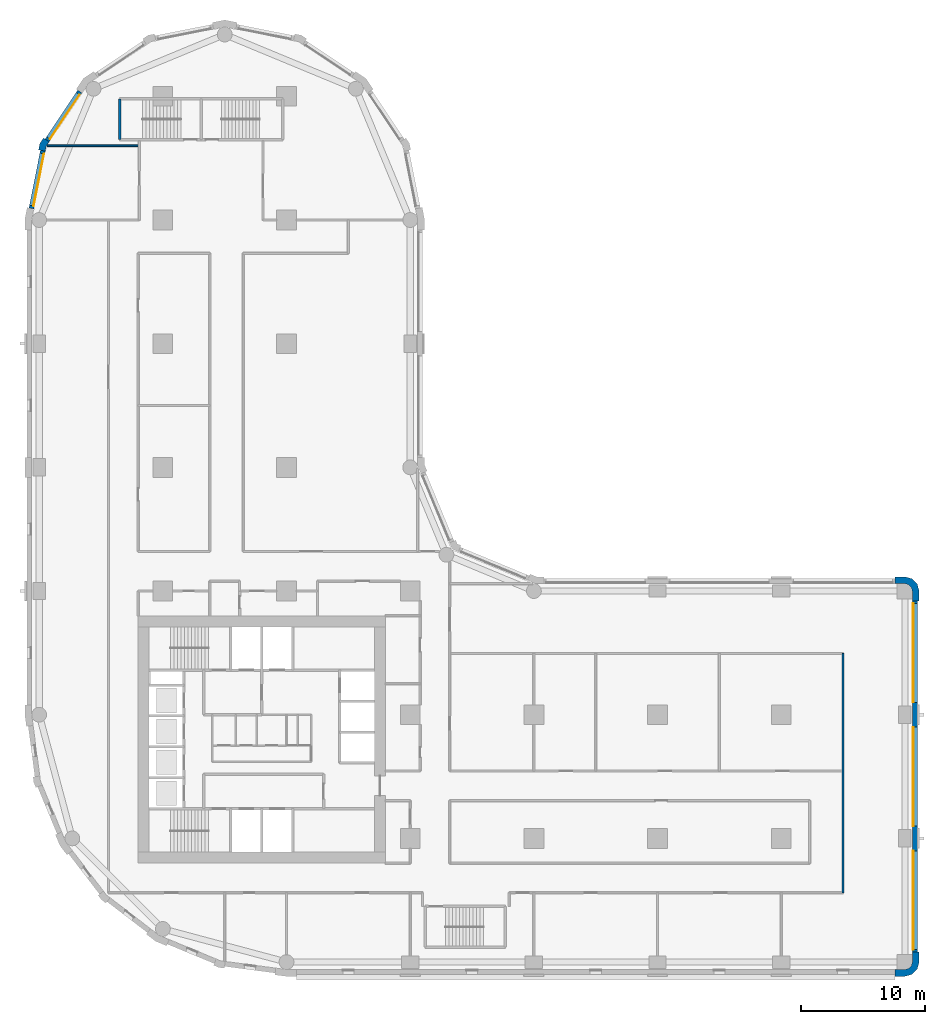
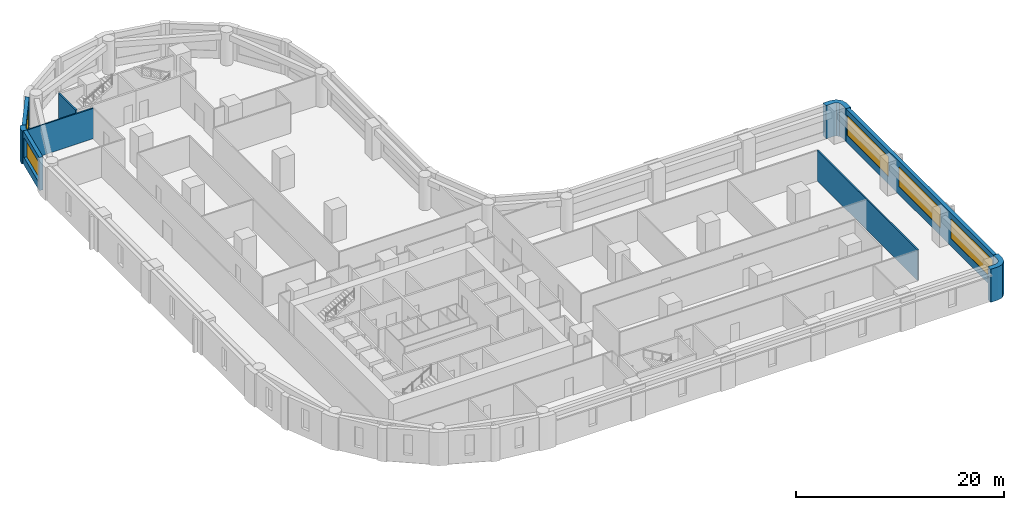
# One storey, part 7 of 11: 9 walls, 5 windows, 5 openings.
"""IFC4 building model written with IfcOpenShell, lengths in metres."""

from ifc_helpers import new_model, si_unit, direction, frame, frame_2d, origin, place, context, subcontext, project, spatial, polyline, rectangle, outline, extrude, material, layer, layer_set, type_object, element, fill, save


model = new_model("IFC4")

# Units and contexts
model_context = context("Model", 3, precision=1e-05, world=origin(), true_north=direction((0.0, 1.0)))
body_context = subcontext(model_context, "Body", "Model", "MODEL_VIEW")
ifc_project = project(units=[si_unit("LENGTHUNIT", "METRE"), si_unit("AREAUNIT", "SQUARE_METRE"), si_unit("VOLUMEUNIT", "CUBIC_METRE"), si_unit("PLANEANGLEUNIT", "RADIAN"), si_unit("MASSUNIT", "GRAM", prefix="KILO")], contexts=[model_context])

# Site, building, storey
site_placement = place(None, origin())
site = spatial("IfcSite", under=ifc_project, at=site_placement, CompositionType="ELEMENT")
building_placement = place(site_placement, origin())
building = spatial("IfcBuilding", under=site, at=building_placement, Name="Qaws Garden Tower", CompositionType="ELEMENT")
storey_placement = place(building_placement, frame((0.0, 0.0, 86.10009765625)))
storey = spatial("IfcBuildingStorey", under=building, at=storey_placement, Name="L21", CompositionType="ELEMENT", Elevation=86.10009765625)

# Walls
ifc_material_1 = material(Name="Clay facing brick masonry", Category="masonry")
ifc_layer_1 = layer(ifc_material_1, 0.550048828125)
ifc_layer_set_1 = layer_set([ifc_layer_1], Name="Clay facing brick masonry")
wall_type_1 = type_object("IfcWallType", Name="Brick corner pier 550 x 2400", PredefinedType="SOLIDWALL", material=ifc_layer_set_1)
placement = place(storey_placement, origin())
element("IfcWall", 1, at=placement, inside=storey, type_object=wall_type_1, Name="E-L21-pier-05", PredefinedType="SOLIDWALL", context=body_context, shape_type="SweptSolid", body=[
    extrude(outline(polyline([(69.199951171875, -1.0), (69.199951171875, -1.14990234375), (70.0, -1.14990234375), (70.574951171875, -0.995849609375), (70.995849609375, -0.574951171875), (71.14990234375, 0.0), (71.14990234375, 0.800048828125), (71.0, 0.800048828125), (70.60009765625, 0.800048828125), (70.60009765625, 0.0), (70.51953125, -0.300048828125), (70.300048828125, -0.51953125), (70.0, -0.60009765625), (69.199951171875, -0.60009765625), (69.199951171875, -1.0)])), origin(), (0.0, 0.0, 1.0), 3.89990234375),
])
element("IfcWall", 2, at=placement, inside=storey, type_object=wall_type_1, Name="E-L21-pier-08", PredefinedType="SOLIDWALL", context=body_context, shape_type="SweptSolid", body=[
    extrude(outline(polyline([(71.0, 29.199951171875), (71.14990234375, 29.199951171875), (71.14990234375, 30.0), (70.995849609375, 30.574951171875), (70.574951171875, 30.995849609375), (70.0, 31.14990234375), (69.199951171875, 31.14990234375), (69.199951171875, 31.0), (69.199951171875, 30.60009765625), (70.0, 30.60009765625), (70.300048828125, 30.51953125), (70.51953125, 30.300048828125), (70.60009765625, 30.0), (70.60009765625, 29.199951171875), (71.0, 29.199951171875)])), origin(), (0.0, 0.0, 1.0), 3.89990234375),
])

# Wall, openings, windows
ifc_material_2 = material(Name="Clay facing brick masonry", Category="masonry")
ifc_layer_2 = layer(ifc_material_2, 0.39990234375)
ifc_layer_set_2 = layer_set([ifc_layer_2], Name="Clay facing brick masonry")
wall_type_2 = type_object("IfcWallType", Name="Brick infill wall 400", PredefinedType="SOLIDWALL", material=ifc_layer_set_2)
wall_3_placement = place(storey_placement, frame((70.800048828125, 0.800048828125, 0.0), z_axis=(0.0, 0.0, 1.0), x_axis=(0.0, 1.0, 0.0)))
wall_3 = element("IfcWall", 3, at=wall_3_placement, inside=storey, type_object=wall_type_2, Name="E-L21-infill-05", PredefinedType="SOLIDWALL", context=body_context, shape_type="SweptSolid", body=[
    extrude(rectangle(XDim=28.39990234375, YDim=0.39990234375, at=frame_2d((14.199951171875, 0.0))), origin(), (0.0, 0.0, 1.0), 3.89990234375),
])
opening_1_placement = place(wall_3_placement, frame((0.199951171875, 0.0, 0.89990234375)))
opening_1 = element("IfcOpeningElement", 4, at=opening_1_placement, cuts=wall_3, Name="Opening W01", PredefinedType="OPENING", context=body_context, shape_type="SweptSolid", body=[
    extrude(rectangle(XDim=8.0, YDim=2.35009765625, at=frame_2d((4.0, 1.175048828125))), frame((0.0, 0.2099609375, 0.0), z_axis=(0.0, -1.0, 0.0), x_axis=(1.0, 0.0, 0.0)), (0.0, 0.0, 1.0), 0.419921875),
])
opening_2_placement = place(wall_3_placement, frame((10.199951171875, 0.0, 0.89990234375)))
opening_2 = element("IfcOpeningElement", 5, at=opening_2_placement, cuts=wall_3, Name="Opening W01", PredefinedType="OPENING", context=body_context, shape_type="SweptSolid", body=[
    extrude(rectangle(XDim=8.0, YDim=2.35009765625, at=frame_2d((4.0, 1.175048828125))), frame((0.0, 0.2099609375, 0.0), z_axis=(0.0, -1.0, 0.0), x_axis=(1.0, 0.0, 0.0)), (0.0, 0.0, 1.0), 0.419921875),
])
opening_3_placement = place(wall_3_placement, frame((20.199951171875, 0.0, 0.89990234375)))
opening_3 = element("IfcOpeningElement", 6, at=opening_3_placement, cuts=wall_3, Name="Opening W01", PredefinedType="OPENING", context=body_context, shape_type="SweptSolid", body=[
    extrude(rectangle(XDim=8.0, YDim=2.35009765625, at=frame_2d((4.0, 1.175048828125))), frame((0.0, 0.2099609375, 0.0), z_axis=(0.0, -1.0, 0.0), x_axis=(1.0, 0.0, 0.0)), (0.0, 0.0, 1.0), 0.419921875),
])
ifc_material_3 = material(Name="Aluminium framed window, clear glazing", Category="aluminium")
window_type_1 = type_object("IfcWindowType", Name="Ribbon window 8000 x 2350", PartitioningType="DOUBLE_PANEL_VERTICAL", PredefinedType="WINDOW", material=ifc_material_3)
window_1_placement = place(opening_1_placement, origin())
window_1 = element("IfcWindow", 7, at=window_1_placement, inside=storey, type_object=window_type_1, Name="E-L21-window-05-0", OverallHeight=2.35009765625, OverallWidth=8.0, PartitioningType="SINGLE_PANEL", PredefinedType="WINDOW", context=body_context, shape_type="SweptSolid", body=[
    extrude(rectangle(XDim=8.0, YDim=2.35009765625, at=frame_2d((4.0, 1.175048828125))), frame((0.0, 0.159912109375, 0.0), z_axis=(0.0, -1.0, 0.0), x_axis=(1.0, 0.0, 0.0)), (0.0, 0.0, 1.0), 0.06005859375),
])
fill(opening_1, window_1)
window_2_placement = place(opening_2_placement, origin())
window_2 = element("IfcWindow", 8, at=window_2_placement, inside=storey, type_object=window_type_1, Name="E-L21-window-06-0", OverallHeight=2.35009765625, OverallWidth=8.0, PartitioningType="SINGLE_PANEL", PredefinedType="WINDOW", context=body_context, shape_type="SweptSolid", body=[
    extrude(rectangle(XDim=8.0, YDim=2.35009765625, at=frame_2d((4.0, 1.175048828125))), frame((0.0, 0.159912109375, 0.0), z_axis=(0.0, -1.0, 0.0), x_axis=(1.0, 0.0, 0.0)), (0.0, 0.0, 1.0), 0.06005859375),
])
fill(opening_2, window_2)
window_3_placement = place(opening_3_placement, origin())
window_3 = element("IfcWindow", 9, at=window_3_placement, inside=storey, type_object=window_type_1, Name="E-L21-window-07-0", OverallHeight=2.35009765625, OverallWidth=8.0, PartitioningType="SINGLE_PANEL", PredefinedType="WINDOW", context=body_context, shape_type="SweptSolid", body=[
    extrude(rectangle(XDim=8.0, YDim=2.35009765625, at=frame_2d((4.0, 1.175048828125))), frame((0.0, 0.159912109375, 0.0), z_axis=(0.0, -1.0, 0.0), x_axis=(1.0, 0.0, 0.0)), (0.0, 0.0, 1.0), 0.06005859375),
])
fill(opening_3, window_3)

# Wall, opening, window
wall_4_placement = place(storey_placement, frame((3.28369140625, 70.385986328125, 0.0), z_axis=(0.0, 0.0, 1.0), x_axis=(-0.555541552266, -0.831488775454, 0.0)))
wall_4 = element("IfcWall", 10, at=wall_4_placement, inside=storey, type_object=wall_type_2, Name="E-L21-infill-21", PredefinedType="SOLIDWALL", context=body_context, shape_type="SweptSolid", body=[
    extrude(rectangle(XDim=4.752685546875, YDim=0.39990234375, at=frame_2d((2.37646484375, 0.0))), origin(), (0.0, 0.0, 1.0), 3.89990234375),
])
opening_4_placement = place(wall_4_placement, frame((0.226318359375, 0.0, 0.89990234375)))
opening_4 = element("IfcOpeningElement", 11, at=opening_4_placement, cuts=wall_4, Name="Opening W06", PredefinedType="OPENING", context=body_context, shape_type="SweptSolid", body=[
    extrude(rectangle(XDim=4.300048828125, YDim=2.35009765625, at=frame_2d((2.14990234375, 1.175048828125))), frame((0.0, 0.2099609375, 0.0), z_axis=(0.0, -1.0, 0.0), x_axis=(1.0, 0.0, 0.0)), (0.0, 0.0, 1.0), 0.419921875),
])
ifc_material_4 = material(Name="Aluminium framed window, clear glazing", Category="aluminium")
window_type_2 = type_object("IfcWindowType", Name="Ribbon window 4300 x 2350", PartitioningType="DOUBLE_PANEL_VERTICAL", PredefinedType="WINDOW", material=ifc_material_4)
window_4_placement = place(opening_4_placement, origin())
window_4 = element("IfcWindow", 12, at=window_4_placement, inside=storey, type_object=window_type_2, Name="E-L21-window-21-0", OverallHeight=2.35009765625, OverallWidth=4.300048828125, PartitioningType="SINGLE_PANEL", PredefinedType="WINDOW", context=body_context, shape_type="SweptSolid", body=[
    extrude(rectangle(XDim=4.300048828125, YDim=2.35009765625, at=frame_2d((2.14990234375, 1.175048828125))), frame((0.0, 0.159912109375, 0.0), z_axis=(0.0, -1.0, 0.0), x_axis=(1.0, 0.0, 0.0)), (0.0, 0.0, 1.0), 0.06005859375),
])
fill(opening_4, window_4)

wall_5_placement = place(storey_placement, frame((0.298583984375, 65.60205078125, 0.0), z_axis=(0.0, 0.0, 1.0), x_axis=(-0.195098533057, -0.98078364709, 0.0)))
wall_5 = element("IfcWall", 13, at=wall_5_placement, inside=storey, type_object=wall_type_2, Name="E-L21-infill-22", PredefinedType="SOLIDWALL", context=body_context, shape_type="SweptSolid", body=[
    extrude(rectangle(XDim=4.752685546875, YDim=0.39990234375, at=frame_2d((2.37646484375, 0.0))), origin(), (0.0, 0.0, 1.0), 3.89990234375),
])
opening_5_placement = place(wall_5_placement, frame((0.226318359375, 0.0, 0.89990234375)))
opening_5 = element("IfcOpeningElement", 14, at=opening_5_placement, cuts=wall_5, Name="Opening W06", PredefinedType="OPENING", context=body_context, shape_type="SweptSolid", body=[
    extrude(rectangle(XDim=4.300048828125, YDim=2.35009765625, at=frame_2d((2.14990234375, 1.175048828125))), frame((0.0, 0.2099609375, 0.0), z_axis=(0.0, -1.0, 0.0), x_axis=(1.0, 0.0, 0.0)), (0.0, 0.0, 1.0), 0.419921875),
])
window_5_placement = place(opening_5_placement, origin())
window_5 = element("IfcWindow", 15, at=window_5_placement, inside=storey, type_object=window_type_2, Name="E-L21-window-22-0", OverallHeight=2.35009765625, OverallWidth=4.300048828125, PartitioningType="SINGLE_PANEL", PredefinedType="WINDOW", context=body_context, shape_type="SweptSolid", body=[
    extrude(rectangle(XDim=4.300048828125, YDim=2.35009765625, at=frame_2d((2.14990234375, 1.175048828125))), frame((0.0, 0.159912109375, 0.0), z_axis=(0.0, -1.0, 0.0), x_axis=(1.0, 0.0, 0.0)), (0.0, 0.0, 1.0), 0.06005859375),
])
fill(opening_5, window_5)

# Walls
ifc_material_5 = material(Name="Clay facing brick masonry", Category="masonry")
ifc_layer_3 = layer(ifc_material_5, 0.550048828125)
ifc_layer_set_3 = layer_set([ifc_layer_3], Name="Clay facing brick masonry")
wall_type_3 = type_object("IfcWallType", Name="Brick kink pier 550 x 600", PredefinedType="SOLIDWALL", material=ifc_layer_set_3)
element("IfcWall", 16, at=placement, inside=storey, type_object=wall_type_3, Name="E-L21-pier-22", PredefinedType="SOLIDWALL", context=body_context, shape_type="SweptSolid", body=[
    extrude(outline(polyline([(0.47705078125, 66.545166015625), (0.352294921875, 66.628662109375), (0.05859375, 66.18896484375), (-0.044677734375, 65.67041015625), (0.1025390625, 65.64111328125), (0.494873046875, 65.56298828125), (0.57666015625, 65.974365234375), (0.8095703125, 66.322998046875), (0.47705078125, 66.545166015625)])), origin(), (0.0, 0.0, 1.0), 3.89990234375),
])
ifc_material_6 = material(Name="Concrete C80", Category="concrete")
ifc_layer_4 = layer(ifc_material_6, 0.199951171875)
ifc_layer_set_4 = layer_set([ifc_layer_4], Name="Concrete C80")
wall_type_4 = type_object("IfcWallType", Name="Core shaft wall 200 C80", PredefinedType="SHEAR", material=ifc_layer_set_4)
wall_7_placement = place(storey_placement, frame((6.5, 66.5, 0.0), z_axis=(0.0, 0.0, 1.0), x_axis=(0.0, 1.0, 0.0)))
element("IfcWall", 17, at=wall_7_placement, inside=storey, type_object=wall_type_4, Name="Shaft wall", PredefinedType="SHEAR", context=body_context, shape_type="SweptSolid", body=[
    extrude(rectangle(XDim=3.300048828125, YDim=0.199951171875, at=frame_2d((1.64990234375, 0.0))), origin(), (0.0, 0.0, 1.0), 3.579833984375),
])
ifc_material_7 = material(Name="Gypsum board partition")
ifc_layer_5 = layer(ifc_material_7, 0.14990234375)
ifc_layer_set_5 = layer_set([ifc_layer_5], Name="Gypsum board partition")
wall_type_5 = type_object("IfcWallType", Name="PARTITION 150 EI 60", PredefinedType="PARTITIONING", material=ifc_layer_set_5)
wall_8_placement = place(storey_placement, frame((65.0, 5.60009765625, 0.0), z_axis=(0.0, 0.0, 1.0), x_axis=(0.0, 1.0, 0.0)))
element("IfcWall", 18, at=wall_8_placement, inside=storey, type_object=wall_type_5, Name="O-L21-wall-032", PredefinedType="PARTITIONING", context=body_context, shape_type="SweptSolid", body=[
    extrude(rectangle(XDim=19.349853515625, YDim=0.14990234375, at=frame_2d((9.6748046875, 0.0))), origin(), (0.0, 0.0, 1.0), 3.579833984375),
])
wall_9_placement = place(storey_placement, frame((0.643798828125, 66.0, 0.0), z_axis=(0.0, 0.0, 1.0), x_axis=(1.0, 0.0, 0.0)))
element("IfcWall", 19, at=wall_9_placement, inside=storey, type_object=wall_type_5, Name="O-L21-wall-059", PredefinedType="PARTITIONING", context=body_context, shape_type="SweptSolid", body=[
    extrude(rectangle(XDim=7.456298828125, YDim=0.14990234375, at=frame_2d((3.72802734375, 0.0))), origin(), (0.0, 0.0, 1.0), 3.579833984375),
])

save(model, "model.ifc")
